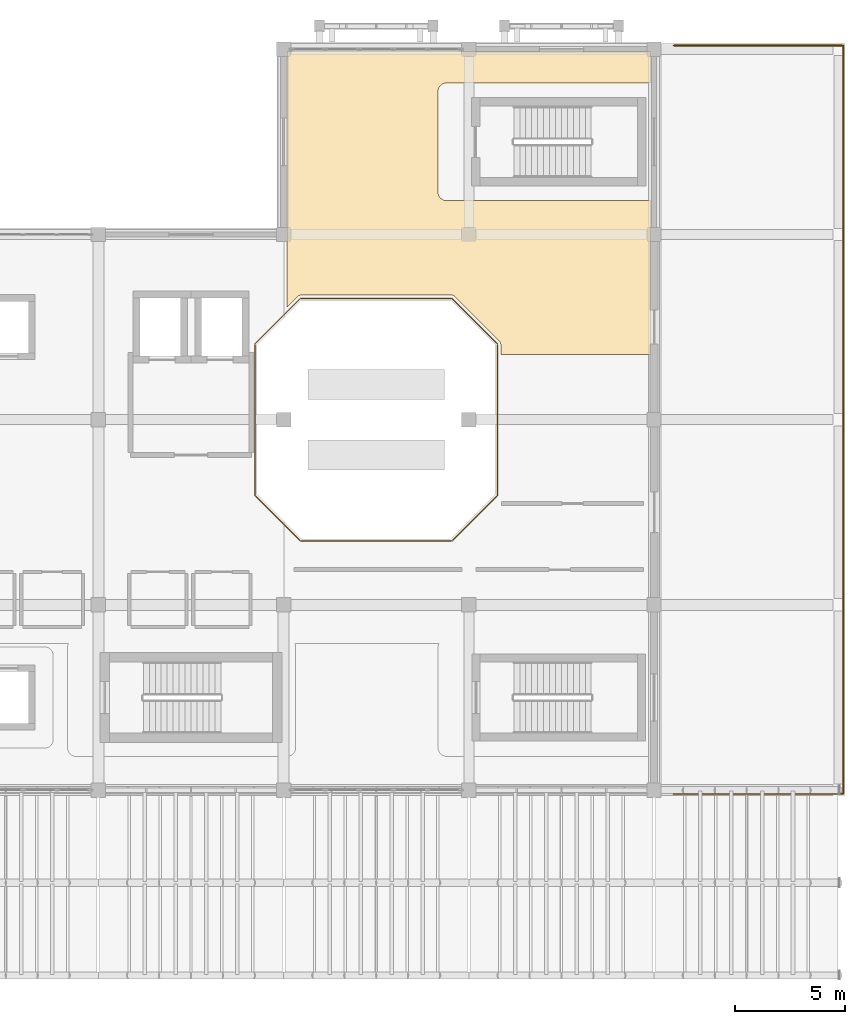
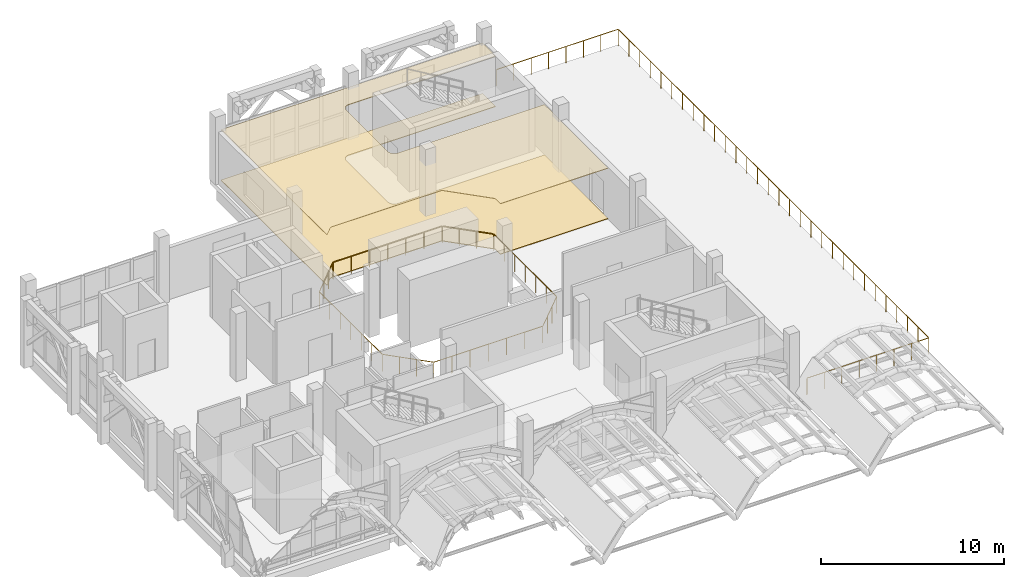
# One storey, part 20 of 22: 2 coverings, 2 railings.
"""IFC4 building model written with IfcOpenShell, lengths in metres."""

from ifc_helpers import new_model, si_unit, direction, frame, origin, origin_2d, place, context, subcontext, project, spatial, polyline, circle, outline, extrude, material, layer, layer_set, type_object, element, save


model = new_model("IFC4")

# Units and contexts
model_context = context("Model", 3, precision=1e-05, world=origin(), true_north=direction((0.0, 1.0)))
body_context = subcontext(model_context, "Body", "Model", "MODEL_VIEW")
ifc_project = project(units=[si_unit("LENGTHUNIT", "METRE"), si_unit("AREAUNIT", "SQUARE_METRE"), si_unit("VOLUMEUNIT", "CUBIC_METRE"), si_unit("PLANEANGLEUNIT", "RADIAN"), si_unit("MASSUNIT", "GRAM", prefix="KILO")], contexts=[model_context])

# Site, building, storey
site_placement = place(None, origin())
site = spatial("IfcSite", under=ifc_project, at=site_placement, CompositionType="ELEMENT")
building_placement = place(site_placement, origin())
building = spatial("IfcBuilding", under=site, at=building_placement, Name="Xazarin Passage Department Store", CompositionType="ELEMENT")
storey_placement = place(building_placement, frame((0.0, 0.0, 27.89990234375)))
storey = spatial("IfcBuildingStorey", under=building, at=storey_placement, Name="L06", CompositionType="ELEMENT", Elevation=27.89990234375)

# Coverings
ifc_material_1 = material(Name="Acoustic mineral ceiling")
ifc_layer_1 = layer(ifc_material_1, 0.0400390625)
ifc_layer_set_1 = layer_set([ifc_layer_1], Name="Acoustic mineral ceiling")
covering_type_1 = type_object("IfcCoveringType", Name="ARC-COV-CLG040", PredefinedType="CEILING", material=ifc_layer_set_1)
covering_1_placement = place(storey_placement, frame((0.0, 0.0, 3.360107421875)))
element("IfcCovering", 1, at=covering_1_placement, inside=storey, type_object=covering_type_1, Name="L06 Sports and Outdoor Hall Acoustic Ceiling", PredefinedType="CEILING", context=body_context, shape_type="SweptSolid", body=[
    extrude(outline(polyline([(33.449951171875, 103.1298828125), (24.199951171875, 103.1298828125), (24.160888671875, 103.1318359375), (24.1220703125, 103.1376953125), (24.083984375, 103.147216796875), (24.046875, 103.160400390625), (24.011474609375, 103.17724609375), (23.977783203125, 103.197509765625), (23.9462890625, 103.220703125), (23.917236328125, 103.247314453125), (23.890869140625, 103.276123046875), (23.867431640625, 103.307861328125), (23.84716796875, 103.34130859375), (23.830322265625, 103.376953125), (23.817138671875, 103.413818359375), (23.8076171875, 103.451904296875), (23.802001953125, 103.49072265625), (23.800048828125, 103.530029296875), (23.800048828125, 108.070068359375), (23.802001953125, 108.109130859375), (23.8076171875, 108.14794921875), (23.817138671875, 108.18603515625), (23.830322265625, 108.22314453125), (23.84716796875, 108.258544921875), (23.867431640625, 108.292236328125), (23.890869140625, 108.32373046875), (23.917236328125, 108.352783203125), (23.9462890625, 108.379150390625), (23.977783203125, 108.402587890625), (24.011474609375, 108.4228515625), (24.046875, 108.439697265625), (24.083984375, 108.452880859375), (24.1220703125, 108.46240234375), (24.160888671875, 108.468017578125), (24.199951171875, 108.469970703125), (33.449951171875, 108.469970703125), (33.449951171875, 109.89990234375), (16.949951171875, 109.89990234375), (16.949951171875, 98.3037109375), (17.423095703125, 98.77685546875), (17.44140625, 98.793212890625), (17.461181640625, 98.807861328125), (17.482177734375, 98.820556640625), (17.50439453125, 98.8310546875), (17.52734375, 98.839111328125), (17.55126953125, 98.84521484375), (17.575439453125, 98.848876953125), (17.60009765625, 98.85009765625), (24.39990234375, 98.85009765625), (24.424560546875, 98.848876953125), (24.44873046875, 98.84521484375), (24.47265625, 98.839111328125), (24.49560546875, 98.8310546875), (24.517822265625, 98.820556640625), (24.538818359375, 98.807861328125), (24.55859375, 98.793212890625), (24.576904296875, 98.77685546875), (26.576904296875, 96.77685546875), (26.59326171875, 96.758544921875), (26.60791015625, 96.739013671875), (26.62060546875, 96.7177734375), (26.631103515625, 96.69580078125), (26.63916015625, 96.672607421875), (26.645263671875, 96.648681640625), (26.648681640625, 96.62451171875), (26.64990234375, 96.60009765625), (26.64990234375, 96.14990234375), (33.449951171875, 96.14990234375), (33.449951171875, 103.1298828125)])), origin(), (0.0, 0.0, 1.0), 0.0400390625),
])
ifc_material_2 = material(Name="Terrazzo stone flooring", Category="masonry")
ifc_layer_2 = layer(ifc_material_2, 0.034912109375)
ifc_layer_set_2 = layer_set([ifc_layer_2], Name="Terrazzo stone flooring")
covering_type_2 = type_object("IfcCoveringType", Name="ARC-COV-FLR035", PredefinedType="FLOORING", material=ifc_layer_set_2)
covering_2_placement = place(storey_placement, origin())
element("IfcCovering", 2, at=covering_2_placement, inside=storey, type_object=covering_type_2, Name="L06 Sports and Outdoor Hall Terrazzo Flooring", PredefinedType="FLOORING", context=body_context, shape_type="SweptSolid", body=[
    extrude(outline(polyline([(33.449951171875, 103.1298828125), (24.199951171875, 103.1298828125), (24.160888671875, 103.1318359375), (24.1220703125, 103.1376953125), (24.083984375, 103.147216796875), (24.046875, 103.160400390625), (24.011474609375, 103.17724609375), (23.977783203125, 103.197509765625), (23.9462890625, 103.220703125), (23.917236328125, 103.247314453125), (23.890869140625, 103.276123046875), (23.867431640625, 103.307861328125), (23.84716796875, 103.34130859375), (23.830322265625, 103.376953125), (23.817138671875, 103.413818359375), (23.8076171875, 103.451904296875), (23.802001953125, 103.49072265625), (23.800048828125, 103.530029296875), (23.800048828125, 108.070068359375), (23.802001953125, 108.109130859375), (23.8076171875, 108.14794921875), (23.817138671875, 108.18603515625), (23.830322265625, 108.22314453125), (23.84716796875, 108.258544921875), (23.867431640625, 108.292236328125), (23.890869140625, 108.32373046875), (23.917236328125, 108.352783203125), (23.9462890625, 108.379150390625), (23.977783203125, 108.402587890625), (24.011474609375, 108.4228515625), (24.046875, 108.439697265625), (24.083984375, 108.452880859375), (24.1220703125, 108.46240234375), (24.160888671875, 108.468017578125), (24.199951171875, 108.469970703125), (33.449951171875, 108.469970703125), (33.449951171875, 109.89990234375), (16.949951171875, 109.89990234375), (16.949951171875, 98.3037109375), (17.423095703125, 98.77685546875), (17.44140625, 98.793212890625), (17.461181640625, 98.807861328125), (17.482177734375, 98.820556640625), (17.50439453125, 98.8310546875), (17.52734375, 98.839111328125), (17.55126953125, 98.84521484375), (17.575439453125, 98.848876953125), (17.60009765625, 98.85009765625), (24.39990234375, 98.85009765625), (24.424560546875, 98.848876953125), (24.44873046875, 98.84521484375), (24.47265625, 98.839111328125), (24.49560546875, 98.8310546875), (24.517822265625, 98.820556640625), (24.538818359375, 98.807861328125), (24.55859375, 98.793212890625), (24.576904296875, 98.77685546875), (26.576904296875, 96.77685546875), (26.59326171875, 96.758544921875), (26.60791015625, 96.739013671875), (26.62060546875, 96.7177734375), (26.631103515625, 96.69580078125), (26.63916015625, 96.672607421875), (26.645263671875, 96.648681640625), (26.648681640625, 96.62451171875), (26.64990234375, 96.60009765625), (26.64990234375, 96.14990234375), (33.449951171875, 96.14990234375), (33.449951171875, 103.1298828125)])), origin(), (0.0, 0.0, 1.0), 0.03515625),
])

# Railings
ifc_material_3 = material(Name="Low-E laminated safety glass", Category="glass")
railing_type_1 = type_object("IfcRailingType", Name="ARC-RL-BAL115", PredefinedType="BALUSTRADE", material=ifc_material_3)
railing_1_placement = place(storey_placement, frame((15.5, 96.641357421875, 0.0)))
element("IfcRailing", 3, at=railing_1_placement, inside=storey, type_object=railing_type_1, Name="L06 Void Edge Balustrade 0016", PredefinedType="BALUSTRADE", context=body_context, shape_type="SweptSolid", body=[
    extrude(circle(Radius=0.02392578125, at=origin_2d()), frame((0.0, -0.03125, 1.1259765625), z_axis=(0.0, -1.0, 0.0), x_axis=(1.0, 0.0, 0.0)), (0.0, 0.0, 1.0), 6.8203125),
    extrude(circle(Radius=0.02392578125, at=origin_2d()), frame((0.022216796875, -6.905029296875, 1.1259765625), z_axis=(0.707106781187, -0.707106781187, 0.0), x_axis=(0.707106781187, 0.707106781187, 0.0)), (0.0, 0.0, 1.0), 2.848876953125),
    extrude(circle(Radius=0.02392578125, at=origin_2d()), frame((2.08984375, -8.94140625, 1.1259765625), z_axis=(1.0, 0.0, 0.0), x_axis=(0.0, 1.0, 0.0)), (0.0, 0.0, 1.0), 6.8203125),
    extrude(circle(Radius=0.02392578125, at=origin_2d()), frame((8.963623046875, -8.919189453125, 1.1259765625), z_axis=(0.707106781187, 0.707106781187, 0.0), x_axis=(-0.707106781187, 0.707106781187, 0.0)), (0.0, 0.0, 1.0), 2.848876953125),
    extrude(circle(Radius=0.02392578125, at=origin_2d()), frame((11.0, -6.8515625, 1.1259765625), z_axis=(0.0, 1.0, 0.0), x_axis=(-1.0, 0.0, 0.0)), (0.0, 0.0, 1.0), 6.8203125),
    extrude(circle(Radius=0.02392578125, at=origin_2d()), frame((10.977783203125, 0.022216796875, 1.1259765625), z_axis=(-0.707106781187, 0.707106781187, 0.0), x_axis=(-0.707106781187, -0.707106781187, 0.0)), (0.0, 0.0, 1.0), 2.848876953125),
    extrude(circle(Radius=0.02392578125, at=origin_2d()), frame((8.91015625, 2.05859375, 1.1259765625), z_axis=(-1.0, 0.0, 0.0), x_axis=(0.0, -1.0, 0.0)), (0.0, 0.0, 1.0), 6.8203125),
    extrude(circle(Radius=0.02392578125, at=origin_2d()), frame((2.036376953125, 2.036376953125, 1.1259765625), z_axis=(-0.707106781187, -0.707106781187, 0.0), x_axis=(0.707106781187, -0.707106781187, 0.0)), (0.0, 0.0, 1.0), 2.848876953125),
    extrude(circle(Radius=0.02099609375, at=origin_2d()), origin(), (0.0, 0.0, 1.0), 1.1015625),
    extrude(circle(Radius=0.02099609375, at=origin_2d()), frame((0.0, -1.147216796875, 0.0)), (0.0, 0.0, 1.0), 1.1015625),
    extrude(circle(Radius=0.02099609375, at=origin_2d()), frame((0.0, -2.294189453125, 0.0)), (0.0, 0.0, 1.0), 1.1015625),
    extrude(circle(Radius=0.02099609375, at=origin_2d()), frame((0.0, -3.44140625, 0.0)), (0.0, 0.0, 1.0), 1.1015625),
    extrude(circle(Radius=0.02099609375, at=origin_2d()), frame((0.0, -4.588623046875, 0.0)), (0.0, 0.0, 1.0), 1.1015625),
    extrude(circle(Radius=0.02099609375, at=origin_2d()), frame((0.0, -5.735595703125, 0.0)), (0.0, 0.0, 1.0), 1.1015625),
    extrude(circle(Radius=0.02099609375, at=origin_2d()), frame((0.0, -6.8828125, 0.0)), (0.0, 0.0, 1.0), 1.1015625),
    extrude(circle(Radius=0.02099609375, at=origin_2d()), frame((0.686279296875, -7.569091796875, 0.0)), (0.0, 0.0, 1.0), 1.1015625),
    extrude(circle(Radius=0.02099609375, at=origin_2d()), frame((1.372314453125, -8.255126953125, 0.0)), (0.0, 0.0, 1.0), 1.1015625),
    extrude(circle(Radius=0.02099609375, at=origin_2d()), frame((2.05859375, -8.94140625, 0.0)), (0.0, 0.0, 1.0), 1.1015625),
    extrude(circle(Radius=0.02099609375, at=origin_2d()), frame((3.205810546875, -8.94140625, 0.0)), (0.0, 0.0, 1.0), 1.1015625),
    extrude(circle(Radius=0.02099609375, at=origin_2d()), frame((4.352783203125, -8.94140625, 0.0)), (0.0, 0.0, 1.0), 1.1015625),
    extrude(circle(Radius=0.02099609375, at=origin_2d()), frame((5.5, -8.94140625, 0.0)), (0.0, 0.0, 1.0), 1.1015625),
    extrude(circle(Radius=0.02099609375, at=origin_2d()), frame((6.647216796875, -8.94140625, 0.0)), (0.0, 0.0, 1.0), 1.1015625),
    extrude(circle(Radius=0.02099609375, at=origin_2d()), frame((7.794189453125, -8.94140625, 0.0)), (0.0, 0.0, 1.0), 1.1015625),
    extrude(circle(Radius=0.02099609375, at=origin_2d()), frame((8.94140625, -8.94140625, 0.0)), (0.0, 0.0, 1.0), 1.1015625),
    extrude(circle(Radius=0.02099609375, at=origin_2d()), frame((9.627685546875, -8.255126953125, 0.0)), (0.0, 0.0, 1.0), 1.1015625),
    extrude(circle(Radius=0.02099609375, at=origin_2d()), frame((10.313720703125, -7.569091796875, 0.0)), (0.0, 0.0, 1.0), 1.1015625),
    extrude(circle(Radius=0.02099609375, at=origin_2d()), frame((11.0, -6.8828125, 0.0)), (0.0, 0.0, 1.0), 1.1015625),
    extrude(circle(Radius=0.02099609375, at=origin_2d()), frame((11.0, -5.735595703125, 0.0)), (0.0, 0.0, 1.0), 1.1015625),
    extrude(circle(Radius=0.02099609375, at=origin_2d()), frame((11.0, -4.588623046875, 0.0)), (0.0, 0.0, 1.0), 1.1015625),
    extrude(circle(Radius=0.02099609375, at=origin_2d()), frame((11.0, -3.44140625, 0.0)), (0.0, 0.0, 1.0), 1.1015625),
    extrude(circle(Radius=0.02099609375, at=origin_2d()), frame((11.0, -2.294189453125, 0.0)), (0.0, 0.0, 1.0), 1.1015625),
    extrude(circle(Radius=0.02099609375, at=origin_2d()), frame((11.0, -1.147216796875, 0.0)), (0.0, 0.0, 1.0), 1.1015625),
    extrude(circle(Radius=0.02099609375, at=origin_2d()), frame((11.0, 0.0, 0.0)), (0.0, 0.0, 1.0), 1.1015625),
    extrude(circle(Radius=0.02099609375, at=origin_2d()), frame((10.313720703125, 0.686279296875, 0.0)), (0.0, 0.0, 1.0), 1.1015625),
    extrude(circle(Radius=0.02099609375, at=origin_2d()), frame((9.627685546875, 1.372314453125, 0.0)), (0.0, 0.0, 1.0), 1.1015625),
    extrude(circle(Radius=0.02099609375, at=origin_2d()), frame((8.94140625, 2.05859375, 0.0)), (0.0, 0.0, 1.0), 1.1015625),
    extrude(circle(Radius=0.02099609375, at=origin_2d()), frame((7.794189453125, 2.05859375, 0.0)), (0.0, 0.0, 1.0), 1.1015625),
    extrude(circle(Radius=0.02099609375, at=origin_2d()), frame((6.647216796875, 2.05859375, 0.0)), (0.0, 0.0, 1.0), 1.1015625),
    extrude(circle(Radius=0.02099609375, at=origin_2d()), frame((5.5, 2.05859375, 0.0)), (0.0, 0.0, 1.0), 1.1015625),
    extrude(circle(Radius=0.02099609375, at=origin_2d()), frame((4.352783203125, 2.05859375, 0.0)), (0.0, 0.0, 1.0), 1.1015625),
    extrude(circle(Radius=0.02099609375, at=origin_2d()), frame((3.205810546875, 2.05859375, 0.0)), (0.0, 0.0, 1.0), 1.1015625),
    extrude(circle(Radius=0.02099609375, at=origin_2d()), frame((2.05859375, 2.05859375, 0.0)), (0.0, 0.0, 1.0), 1.1015625),
    extrude(circle(Radius=0.02099609375, at=origin_2d()), frame((1.372314453125, 1.372314453125, 0.0)), (0.0, 0.0, 1.0), 1.1015625),
    extrude(circle(Radius=0.02099609375, at=origin_2d()), frame((0.686279296875, 0.686279296875, 0.0)), (0.0, 0.0, 1.0), 1.1015625),
])
ifc_material_4 = material(Name="Steel S355", Category="steel")
railing_type_2 = type_object("IfcRailingType", Name="ARC-RL-GRD112", PredefinedType="GUARDRAIL", material=ifc_material_4)
railing_2_placement = place(storey_placement, frame((34.480712890625, 110.169921875, 0.0)))
element("IfcRailing", 4, at=railing_2_placement, inside=storey, type_object=railing_type_2, Name="L06 Roof Terrace Perimeter Guard 0017", PredefinedType="GUARDRAIL", context=body_context, shape_type="SweptSolid", body=[
    extrude(circle(Radius=0.02392578125, at=origin_2d()), frame((0.03125, 0.0, 1.09619140625), z_axis=(1.0, 0.0, 0.0), x_axis=(0.0, 1.0, 0.0)), (0.0, 0.0, 1.0), 7.626708984375),
    extrude(circle(Radius=0.02392578125, at=origin_2d()), frame((7.689208984375, -0.03125, 1.09619140625), z_axis=(0.0, -1.0, 0.0), x_axis=(1.0, 0.0, 0.0)), (0.0, 0.0, 1.0), 33.87744140625),
    extrude(circle(Radius=0.02392578125, at=origin_2d()), frame((7.657958984375, -33.93994140625, 1.09619140625), z_axis=(-1.0, 0.0, 0.0), x_axis=(0.0, -1.0, 0.0)), (0.0, 0.0, 1.0), 7.626708984375),
    extrude(circle(Radius=0.02099609375, at=origin_2d()), origin(), (0.0, 0.0, 1.0), 1.07177734375),
    extrude(circle(Radius=0.02099609375, at=origin_2d()), frame((1.098388671875, 0.0, 0.0)), (0.0, 0.0, 1.0), 1.07177734375),
    extrude(circle(Radius=0.02099609375, at=origin_2d()), frame((2.197021484375, 0.0, 0.0)), (0.0, 0.0, 1.0), 1.07177734375),
    extrude(circle(Radius=0.02099609375, at=origin_2d()), frame((3.29541015625, 0.0, 0.0)), (0.0, 0.0, 1.0), 1.07177734375),
    extrude(circle(Radius=0.02099609375, at=origin_2d()), frame((4.393798828125, 0.0, 0.0)), (0.0, 0.0, 1.0), 1.07177734375),
    extrude(circle(Radius=0.02099609375, at=origin_2d()), frame((5.4921875, 0.0, 0.0)), (0.0, 0.0, 1.0), 1.07177734375),
    extrude(circle(Radius=0.02099609375, at=origin_2d()), frame((6.5908203125, 0.0, 0.0)), (0.0, 0.0, 1.0), 1.07177734375),
    extrude(circle(Radius=0.02099609375, at=origin_2d()), frame((7.689208984375, 0.0, 0.0)), (0.0, 0.0, 1.0), 1.07177734375),
    extrude(circle(Radius=0.02099609375, at=origin_2d()), frame((7.689208984375, -1.17041015625, 0.0)), (0.0, 0.0, 1.0), 1.07177734375),
    extrude(circle(Radius=0.02099609375, at=origin_2d()), frame((7.689208984375, -2.340576171875, 0.0)), (0.0, 0.0, 1.0), 1.07177734375),
    extrude(circle(Radius=0.02099609375, at=origin_2d()), frame((7.689208984375, -3.510986328125, 0.0)), (0.0, 0.0, 1.0), 1.07177734375),
    extrude(circle(Radius=0.02099609375, at=origin_2d()), frame((7.689208984375, -4.681396484375, 0.0)), (0.0, 0.0, 1.0), 1.07177734375),
    extrude(circle(Radius=0.02099609375, at=origin_2d()), frame((7.689208984375, -5.851806640625, 0.0)), (0.0, 0.0, 1.0), 1.07177734375),
    extrude(circle(Radius=0.02099609375, at=origin_2d()), frame((7.689208984375, -7.02197265625, 0.0)), (0.0, 0.0, 1.0), 1.07177734375),
    extrude(circle(Radius=0.02099609375, at=origin_2d()), frame((7.689208984375, -8.1923828125, 0.0)), (0.0, 0.0, 1.0), 1.07177734375),
    extrude(circle(Radius=0.02099609375, at=origin_2d()), frame((7.689208984375, -9.36279296875, 0.0)), (0.0, 0.0, 1.0), 1.07177734375),
    extrude(circle(Radius=0.02099609375, at=origin_2d()), frame((7.689208984375, -10.533203125, 0.0)), (0.0, 0.0, 1.0), 1.07177734375),
    extrude(circle(Radius=0.02099609375, at=origin_2d()), frame((7.689208984375, -11.703369140625, 0.0)), (0.0, 0.0, 1.0), 1.07177734375),
    extrude(circle(Radius=0.02099609375, at=origin_2d()), frame((7.689208984375, -12.873779296875, 0.0)), (0.0, 0.0, 1.0), 1.07177734375),
    extrude(circle(Radius=0.02099609375, at=origin_2d()), frame((7.689208984375, -14.044189453125, 0.0)), (0.0, 0.0, 1.0), 1.07177734375),
    extrude(circle(Radius=0.02099609375, at=origin_2d()), frame((7.689208984375, -15.21435546875, 0.0)), (0.0, 0.0, 1.0), 1.07177734375),
    extrude(circle(Radius=0.02099609375, at=origin_2d()), frame((7.689208984375, -16.384765625, 0.0)), (0.0, 0.0, 1.0), 1.07177734375),
    extrude(circle(Radius=0.02099609375, at=origin_2d()), frame((7.689208984375, -17.55517578125, 0.0)), (0.0, 0.0, 1.0), 1.07177734375),
    extrude(circle(Radius=0.02099609375, at=origin_2d()), frame((7.689208984375, -18.7255859375, 0.0)), (0.0, 0.0, 1.0), 1.07177734375),
    extrude(circle(Radius=0.02099609375, at=origin_2d()), frame((7.689208984375, -19.895751953125, 0.0)), (0.0, 0.0, 1.0), 1.07177734375),
    extrude(circle(Radius=0.02099609375, at=origin_2d()), frame((7.689208984375, -21.066162109375, 0.0)), (0.0, 0.0, 1.0), 1.07177734375),
    extrude(circle(Radius=0.02099609375, at=origin_2d()), frame((7.689208984375, -22.236572265625, 0.0)), (0.0, 0.0, 1.0), 1.07177734375),
    extrude(circle(Radius=0.02099609375, at=origin_2d()), frame((7.689208984375, -23.40673828125, 0.0)), (0.0, 0.0, 1.0), 1.07177734375),
    extrude(circle(Radius=0.02099609375, at=origin_2d()), frame((7.689208984375, -24.5771484375, 0.0)), (0.0, 0.0, 1.0), 1.07177734375),
    extrude(circle(Radius=0.02099609375, at=origin_2d()), frame((7.689208984375, -25.74755859375, 0.0)), (0.0, 0.0, 1.0), 1.07177734375),
    extrude(circle(Radius=0.02099609375, at=origin_2d()), frame((7.689208984375, -26.91796875, 0.0)), (0.0, 0.0, 1.0), 1.07177734375),
    extrude(circle(Radius=0.02099609375, at=origin_2d()), frame((7.689208984375, -28.088134765625, 0.0)), (0.0, 0.0, 1.0), 1.07177734375),
    extrude(circle(Radius=0.02099609375, at=origin_2d()), frame((7.689208984375, -29.258544921875, 0.0)), (0.0, 0.0, 1.0), 1.07177734375),
    extrude(circle(Radius=0.02099609375, at=origin_2d()), frame((7.689208984375, -30.428955078125, 0.0)), (0.0, 0.0, 1.0), 1.07177734375),
    extrude(circle(Radius=0.02099609375, at=origin_2d()), frame((7.689208984375, -31.599365234375, 0.0)), (0.0, 0.0, 1.0), 1.07177734375),
    extrude(circle(Radius=0.02099609375, at=origin_2d()), frame((7.689208984375, -32.76953125, 0.0)), (0.0, 0.0, 1.0), 1.07177734375),
    extrude(circle(Radius=0.02099609375, at=origin_2d()), frame((7.689208984375, -33.93994140625, 0.0)), (0.0, 0.0, 1.0), 1.07177734375),
    extrude(circle(Radius=0.02099609375, at=origin_2d()), frame((6.5908203125, -33.93994140625, 0.0)), (0.0, 0.0, 1.0), 1.07177734375),
    extrude(circle(Radius=0.02099609375, at=origin_2d()), frame((5.4921875, -33.93994140625, 0.0)), (0.0, 0.0, 1.0), 1.07177734375),
    extrude(circle(Radius=0.02099609375, at=origin_2d()), frame((4.393798828125, -33.93994140625, 0.0)), (0.0, 0.0, 1.0), 1.07177734375),
    extrude(circle(Radius=0.02099609375, at=origin_2d()), frame((3.29541015625, -33.93994140625, 0.0)), (0.0, 0.0, 1.0), 1.07177734375),
    extrude(circle(Radius=0.02099609375, at=origin_2d()), frame((2.197021484375, -33.93994140625, 0.0)), (0.0, 0.0, 1.0), 1.07177734375),
    extrude(circle(Radius=0.02099609375, at=origin_2d()), frame((1.098388671875, -33.93994140625, 0.0)), (0.0, 0.0, 1.0), 1.07177734375),
    extrude(circle(Radius=0.02099609375, at=origin_2d()), frame((0.0, -33.93994140625, 0.0)), (0.0, 0.0, 1.0), 1.07177734375),
])

save(model, "model.ifc")
